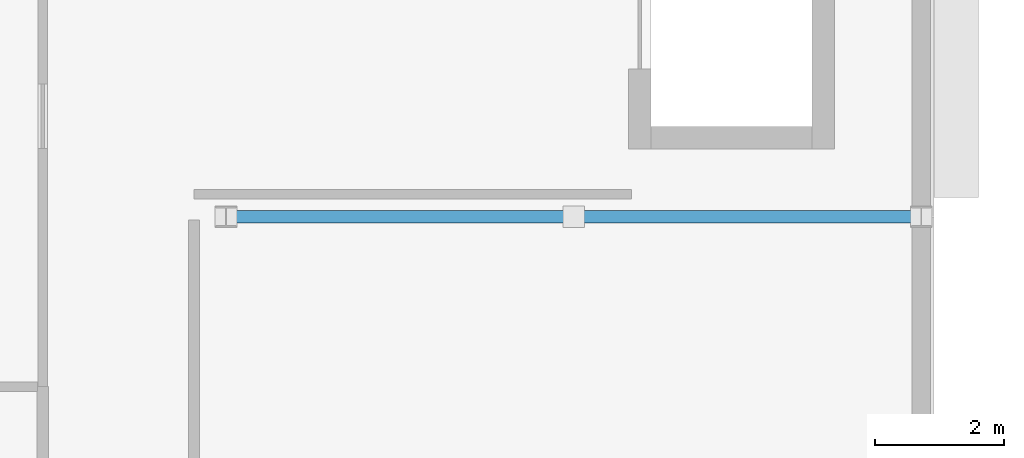
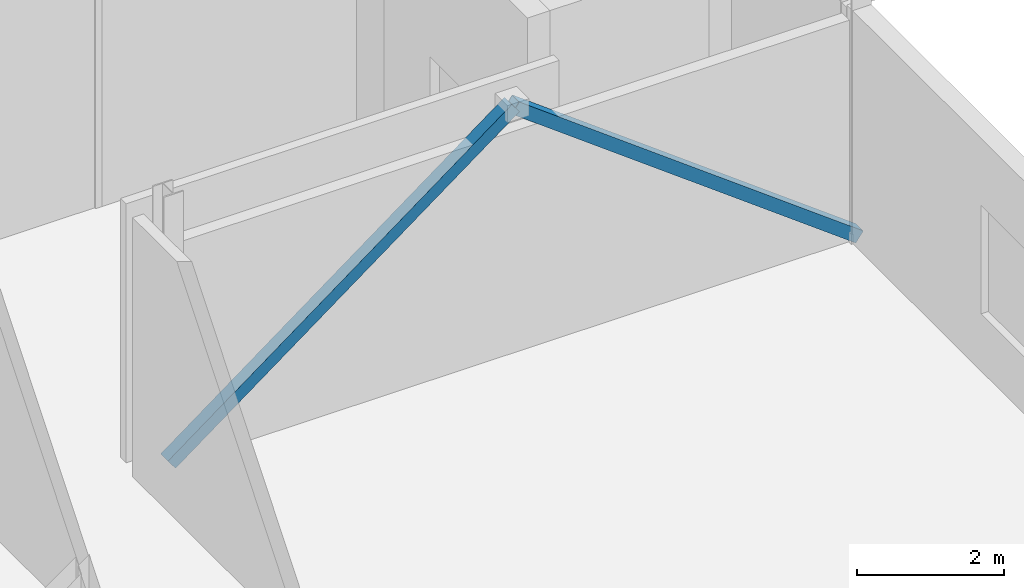
# One storey, part 4 of 10: 2 members.
"""IFC4 building model written with IfcOpenShell, lengths in metres."""

from ifc_helpers import new_model, si_unit, direction, frame, origin, origin_2d, place, context, subcontext, project, spatial, hollow_rectangle, extrude, material, material_profile, profile_set, type_object, element, save


model = new_model("IFC4")

# Units and contexts
model_context = context("Model", 3, precision=1e-05, world=origin(), true_north=direction((0.0, 1.0)))
body_context = subcontext(model_context, "Body", "Model", "MODEL_VIEW")
ifc_project = project(units=[si_unit("LENGTHUNIT", "METRE"), si_unit("AREAUNIT", "SQUARE_METRE"), si_unit("VOLUMEUNIT", "CUBIC_METRE"), si_unit("PLANEANGLEUNIT", "RADIAN"), si_unit("MASSUNIT", "GRAM", prefix="KILO")], contexts=[model_context])

# Site, building, storey
site_placement = place(None, origin())
site = spatial("IfcSite", under=ifc_project, at=site_placement, CompositionType="ELEMENT")
building_placement = place(site_placement, origin())
building = spatial("IfcBuilding", under=site, at=building_placement, Name="Almandine Court Research Institute", CompositionType="ELEMENT")
storey_placement = place(building_placement, frame((0.0, 0.0, 41.64990234375)))
storey = spatial("IfcBuildingStorey", under=building, at=storey_placement, Name="L09", CompositionType="ELEMENT", Elevation=41.64990234375)

# Members
ifc_material = material(Name="Steel ASTM A500 Grade C", Category="steel")
ifc_material_profile = material_profile(ifc_material, hollow_rectangle(XDim=0.199951171875, YDim=0.199951171875, WallThickness=0.008056640625, at=origin_2d()), Name="HSS 200x200x8")
ifc_profile_set = profile_set([ifc_material_profile], Name="Steel ASTM A500 Grade C")
member_type = type_object("IfcMemberType", Name="Mem-BF-BR2", PredefinedType="BRACE", material=ifc_profile_set)
for number, where, z_axis, x_axis, name in (
    (1, (163.199951171875, 15.60009765625, 0.02001953125), (0.801428188232, 0.0, 0.598091012394), (0.0, 1.0, 0.0), "L09 Seismic Chevron Brace V4-BF1 Left"),
    (2, (174.0, 15.60009765625, 0.02001953125), (-0.801415226812, 0.0, 0.598108380007), (0.0, -1.0, 0.0), "L09 Seismic Chevron Brace V4-BF1 Right"),
):
    element("IfcMember", number, at=place(storey_placement, frame(where, z_axis=z_axis, x_axis=x_axis)), inside=storey, type_object=member_type, Name=name, PredefinedType="BRACE", context=body_context, shape_type="SweptSolid", body=[
        extrude(hollow_rectangle(XDim=0.199951171875, YDim=0.199951171875, WallThickness=0.008056640625, at=origin_2d()), origin(), (0.0, 0.0, 1.0), 6.738037109375),
    ])

save(model, "model.ifc")
